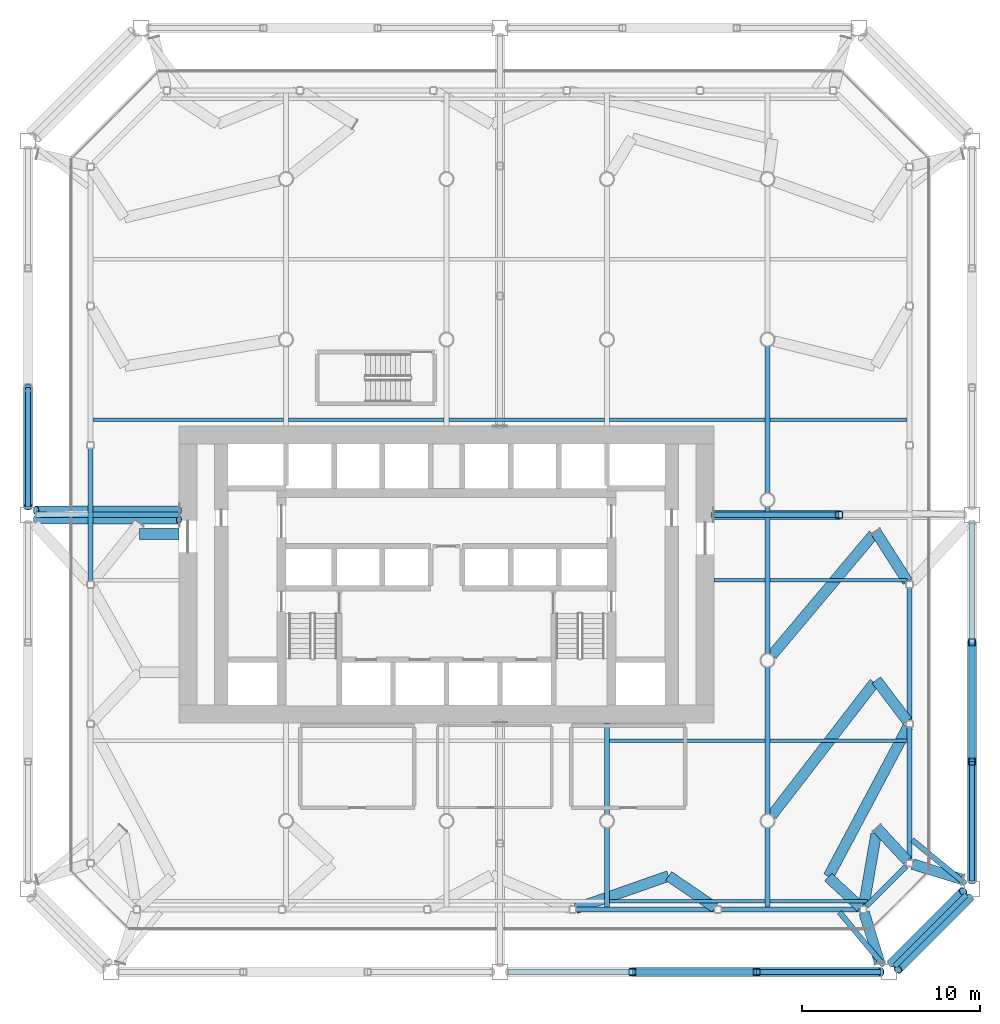
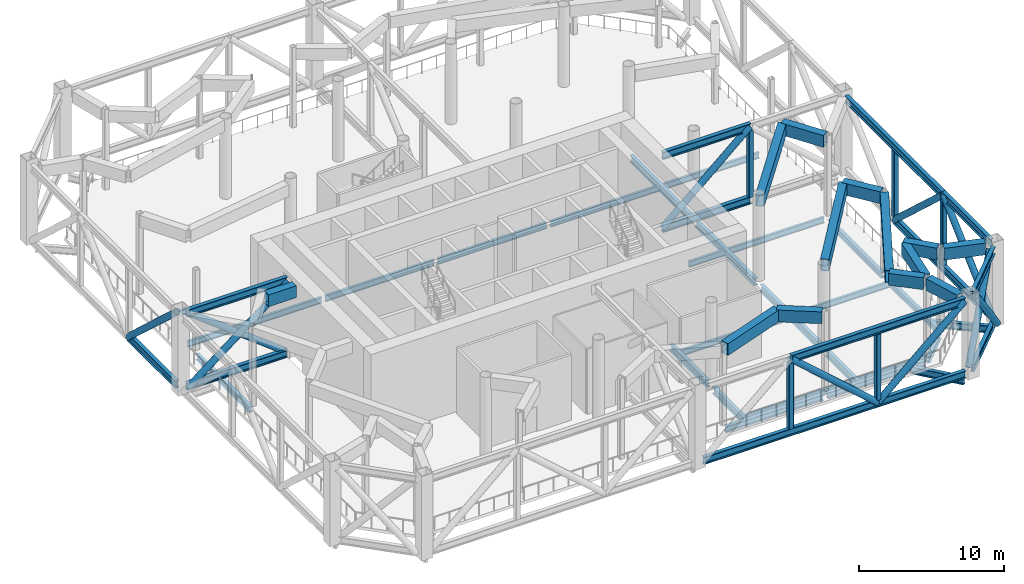
# One storey, part 4 of 20: 51 beams, 15 members.
"""IFC4 building model written with IfcOpenShell, lengths in metres."""

from ifc_helpers import new_model, si_unit, direction, frame, origin, origin_2d, place, context, subcontext, project, spatial, hollow_rectangle, hollow_circle, i_section, extrude, material, material_profile, profile_set, type_object, element, save


model = new_model("IFC4")

# Units and contexts
model_context = context("Model", 3, precision=1e-05, world=origin(), true_north=direction((0.0, 1.0)))
body_context = subcontext(model_context, "Body", "Model", "MODEL_VIEW")
ifc_project = project(units=[si_unit("LENGTHUNIT", "METRE"), si_unit("AREAUNIT", "SQUARE_METRE"), si_unit("VOLUMEUNIT", "CUBIC_METRE"), si_unit("PLANEANGLEUNIT", "RADIAN"), si_unit("MASSUNIT", "GRAM", prefix="KILO")], contexts=[model_context])

# Site, building, storey
site_placement = place(None, origin())
site = spatial("IfcSite", under=ifc_project, at=site_placement, CompositionType="ELEMENT")
building_placement = place(site_placement, origin())
building = spatial("IfcBuilding", under=site, at=building_placement, Name="Tskaro Facet Tower", CompositionType="ELEMENT")
storey_placement = place(building_placement, frame((0.0, 0.0, 114.300048828125)))
storey = spatial("IfcBuildingStorey", under=building, at=storey_placement, Name="L27", CompositionType="ELEMENT", Elevation=114.300048828125)

# Beams
ifc_material_1 = material(Name="Steel S355J2", Category="steel")
ifc_material_profile_1 = material_profile(ifc_material_1, hollow_rectangle(XDim=0.60009765625, YDim=1.0, WallThickness=0.0400390625, at=origin_2d()), Name="BOX 600x1000x40")
ifc_profile_set_1 = profile_set([ifc_material_profile_1], Name="Steel S355J2")
beam_type_1 = type_object("IfcBeamType", Name="BOX 600x1000x40 transfer girder", PredefinedType="BEAM", material=ifc_profile_set_1)
for number, where, z_axis, x_axis, name in (
    (1, (24.287841796875, -25.941650390625, 6.280029296875), (-0.296388719587, 0.955067393906, 0.0), (-0.955067393906, -0.296388719587, 0.0), "BOX 600x1000x40 TG3-4"),
    (2, (28.941650390625, -21.287841796875, 6.280029296875), (-0.955067393906, 0.296388719587, 0.0), (-0.296388719587, -0.955067393906, 0.0), "BOX 600x1000x40 TG3-5"),
):
    element("IfcBeam", number, at=place(storey_placement, frame(where, z_axis=z_axis, x_axis=x_axis)), inside=storey, type_object=beam_type_1, Name=name, PredefinedType="BEAM", context=body_context, shape_type="SweptSolid", body=[
        extrude(hollow_rectangle(XDim=0.60009765625, YDim=1.0, WallThickness=0.0400390625, at=origin_2d()), origin(), (0.0, 0.0, 1.0), 2.9267578125),
    ])
beam_1_placement = place(storey_placement, frame((21.402587890625, -21.147705078125, 6.280029296875), z_axis=(0.733524709105, -0.679662784867, 0.0), x_axis=(0.679662784867, 0.733524709105, 0.0)))
element("IfcBeam", 3, at=beam_1_placement, inside=storey, type_object=beam_type_1, Name="BOX 600x1000x40 TG3-15", PredefinedType="BEAM", context=body_context, shape_type="SweptSolid", body=[
    extrude(hollow_rectangle(XDim=0.60009765625, YDim=1.0, WallThickness=0.0400390625, at=origin_2d()), origin(), (0.0, 0.0, 1.0), 2.48388671875),
])
beam_2_placement = place(storey_placement, frame((21.421142578125, -21.112548828125, 6.280029296875), z_axis=(0.468881526409, 0.88326106797, 0.0), x_axis=(-0.88326106797, 0.468881526409, 0.0)))
element("IfcBeam", 4, at=beam_2_placement, inside=storey, type_object=beam_type_1, Name="BOX 600x1000x40 TG3-16", PredefinedType="BEAM", context=body_context, shape_type="SweptSolid", body=[
    extrude(hollow_rectangle(XDim=0.60009765625, YDim=1.0, WallThickness=0.0400390625, at=origin_2d()), origin(), (0.0, 0.0, 1.0), 9.5009765625),
])
beam_3_placement = place(storey_placement, frame((24.147705078125, -18.402587890625, 6.280029296875), z_axis=(0.679662784867, -0.733524709105, 0.0), x_axis=(0.733524709105, 0.679662784867, 0.0)))
element("IfcBeam", 5, at=beam_3_placement, inside=storey, type_object=beam_type_1, Name="BOX 600x1000x40 TG3-17", PredefinedType="BEAM", context=body_context, shape_type="SweptSolid", body=[
    extrude(hollow_rectangle(XDim=0.60009765625, YDim=1.0, WallThickness=0.0400390625, at=origin_2d()), origin(), (0.0, 0.0, 1.0), 2.48388671875),
])
beam_4_placement = place(storey_placement, frame((24.093505859375, -18.7177734375, 6.280029296875), z_axis=(-0.169259895843, -0.985571452336, 0.0), x_axis=(0.985571452336, -0.169259895843, 0.0)))
element("IfcBeam", 6, at=beam_4_placement, inside=storey, type_object=beam_type_1, Name="BOX 600x1000x40 TG3-18", PredefinedType="BEAM", context=body_context, shape_type="SweptSolid", body=[
    extrude(hollow_rectangle(XDim=0.60009765625, YDim=1.0, WallThickness=0.0400390625, at=origin_2d()), origin(), (0.0, 0.0, 1.0), 4.119384765625),
])
beam_5_placement = place(storey_placement, frame((24.10595703125, -10.095703125, 6.280029296875), z_axis=(0.603345436593, -0.797479958458, 0.0), x_axis=(0.797479958458, 0.603345436593, 0.0)))
element("IfcBeam", 7, at=beam_5_placement, inside=storey, type_object=beam_type_1, Name="BOX 600x1000x40 TG3-23", PredefinedType="BEAM", context=body_context, shape_type="SweptSolid", body=[
    extrude(hollow_rectangle(XDim=0.60009765625, YDim=1.0, WallThickness=0.0400390625, at=origin_2d()), origin(), (0.0, 0.0, 1.0), 2.89111328125),
])
beam_6_placement = place(storey_placement, frame((23.995849609375, -10.238037109375, 6.280029296875), z_axis=(-0.611311648895, -0.791389959454, 0.0), x_axis=(0.791389959454, -0.611311648895, 0.0)))
element("IfcBeam", 8, at=beam_6_placement, inside=storey, type_object=beam_type_1, Name="BOX 600x1000x40 TG3-24", PredefinedType="BEAM", context=body_context, shape_type="SweptSolid", body=[
    extrude(hollow_rectangle(XDim=0.60009765625, YDim=1.0, WallThickness=0.0400390625, at=origin_2d()), origin(), (0.0, 0.0, 1.0), 9.41162109375),
])
beam_7_placement = place(storey_placement, frame((12.45458984375, -21.08349609375, 6.280029296875), z_axis=(0.826590817664, -0.562803358336, 0.0), x_axis=(0.562803358336, 0.826590817664, 0.0)))
element("IfcBeam", 9, at=beam_7_placement, inside=storey, type_object=beam_type_1, Name="BOX 600x1000x40 TG3-30", PredefinedType="BEAM", context=body_context, shape_type="SweptSolid", body=[
    extrude(hollow_rectangle(XDim=0.60009765625, YDim=1.0, WallThickness=0.0400390625, at=origin_2d()), origin(), (0.0, 0.0, 1.0), 3.1533203125),
])
beam_8_placement = place(storey_placement, frame((12.45458984375, -21.08349609375, 6.280029296875), z_axis=(-0.943966049394, -0.330042569363, 0.0), x_axis=(0.330042569363, -0.943966049394, 0.0)))
element("IfcBeam", 10, at=beam_8_placement, inside=storey, type_object=beam_type_1, Name="BOX 600x1000x40 TG3-31", PredefinedType="BEAM", context=body_context, shape_type="SweptSolid", body=[
    extrude(hollow_rectangle(XDim=0.60009765625, YDim=1.0, WallThickness=0.0400390625, at=origin_2d()), origin(), (0.0, 0.0, 1.0), 5.510986328125),
])
beam_9_placement = place(storey_placement, frame((24.0703125, -1.779296875, 6.280029296875), z_axis=(0.538730872513, -0.84247792078, 0.0), x_axis=(0.84247792078, 0.538730872513, 0.0)))
element("IfcBeam", 11, at=beam_9_placement, inside=storey, type_object=beam_type_1, Name="BOX 600x1000x40 TG3-38", PredefinedType="BEAM", context=body_context, shape_type="SweptSolid", body=[
    extrude(hollow_rectangle(XDim=0.60009765625, YDim=1.0, WallThickness=0.0400390625, at=origin_2d()), origin(), (0.0, 0.0, 1.0), 3.32666015625),
])
beam_10_placement = place(storey_placement, frame((23.941650390625, -1.932373046875, 6.280029296875), z_axis=(-0.643499150616, -0.765446825819, 0.0), x_axis=(0.765446825819, -0.643499150616, 0.0)))
element("IfcBeam", 12, at=beam_10_placement, inside=storey, type_object=beam_type_1, Name="BOX 600x1000x40 TG3-39", PredefinedType="BEAM", context=body_context, shape_type="SweptSolid", body=[
    extrude(hollow_rectangle(XDim=0.60009765625, YDim=1.0, WallThickness=0.0400390625, at=origin_2d()), origin(), (0.0, 0.0, 1.0), 8.8369140625),
])
beam_11_placement = place(storey_placement, frame((-17.22412109375, -1.905029296875, 6.280029296875), z_axis=(1.0, 0.0, 0.0), x_axis=(0.0, 1.0, 0.0)))
element("IfcBeam", 13, at=beam_11_placement, inside=storey, type_object=beam_type_1, Name="BOX 600x1000x40 TG3-41", PredefinedType="BEAM", context=body_context, shape_type="SweptSolid", body=[
    extrude(hollow_rectangle(XDim=0.60009765625, YDim=1.0, WallThickness=0.0400390625, at=origin_2d()), origin(), (0.0, 0.0, 1.0), 2.234130859375),
])

# Members
ifc_material_2 = material(Name="Steel S355J2H", Category="steel")
ifc_material_profile_2 = material_profile(ifc_material_2, hollow_circle(Radius=0.25390625, WallThickness=0.02490234375, at=origin_2d()), Name="CHS 508x25")
ifc_profile_set_2 = profile_set([ifc_material_profile_2], Name="Steel S355J2H")
member_type_1 = type_object("IfcMemberType", Name="CHS 508x25 belt diagonal", PredefinedType="BRACE", material=ifc_profile_set_2)
for number, where, z_axis, x_axis, name in (
    (14, (10.421630859375, -26.467041015625, 6.469970703125), (0.749388134679, 0.0, -0.662130971638), (0.0, 1.0, 0.0), "CHS 508x25 BD2-022"),
    (15, (17.393310546875, -26.467041015625, 0.31005859375), (0.749388134679, 0.0, 0.662130971638), (0.0, 1.0, 0.0), "CHS 508x25 BD2-023"),
):
    element("IfcMember", number, at=place(storey_placement, frame(where, z_axis=z_axis, x_axis=x_axis)), inside=storey, type_object=member_type_1, Name=name, PredefinedType="BRACE", context=body_context, shape_type="SweptSolid", body=[
        extrude(hollow_circle(Radius=0.25390625, WallThickness=0.02490234375, at=origin_2d()), origin(), (0.0, 0.0, 1.0), 9.30322265625),
    ])
for number, where, z_axis, x_axis, name in (
    (16, (24.95361328125, -25.96923828125, 0.31005859375), (0.479291848917, 0.479291848917, 0.735226935799), (-0.707106781187, 0.707106781187, 0.0), "CHS 508x25 BD2-031"),
    (17, (25.312744140625, -26.328369140625, 6.469970703125), (0.479291848917, 0.479291848917, -0.735226935799), (-0.707106781187, 0.707106781187, 0.0), "CHS 508x25 BD2-032"),
):
    element("IfcMember", number, at=place(storey_placement, frame(where, z_axis=z_axis, x_axis=x_axis)), inside=storey, type_object=member_type_1, Name=name, PredefinedType="BRACE", context=body_context, shape_type="SweptSolid", body=[
        extrude(hollow_circle(Radius=0.25390625, WallThickness=0.02490234375, at=origin_2d()), origin(), (0.0, 0.0, 1.0), 8.378173828125),
    ])
for number, where, z_axis, x_axis, name in (
    (18, (29.467041015625, -21.364990234375, 0.31005859375), (0.0, 0.735783347307, 0.677217000544), (-1.0, 0.0, 0.0), "CHS 508x25 BD2-041"),
    (19, (29.467041015625, -14.67236328125, 6.469970703125), (0.0, 0.735783347307, -0.677217000544), (-1.0, 0.0, 0.0), "CHS 508x25 BD2-042"),
    (20, (-23.467041015625, 6.3056640625, 0.31005859375), (0.0, -0.735783347307, 0.677217000544), (1.0, 0.0, 0.0), "CHS 508x25 BD2-103"),
):
    element("IfcMember", number, at=place(storey_placement, frame(where, z_axis=z_axis, x_axis=x_axis)), inside=storey, type_object=member_type_1, Name=name, PredefinedType="BRACE", context=body_context, shape_type="SweptSolid", body=[
        extrude(hollow_circle(Radius=0.25390625, WallThickness=0.02490234375, at=origin_2d()), origin(), (0.0, 0.0, 1.0), 9.095947265625),
    ])
ifc_material_profile_3 = material_profile(ifc_material_2, hollow_circle(Radius=0.25390625, WallThickness=0.02490234375, at=origin_2d()), Name="CHS 508x25")
ifc_profile_set_3 = profile_set([ifc_material_profile_3], Name="Steel S355J2H")
member_type_2 = type_object("IfcMemberType", Name="CHS 508x25 outrigger truss diagonal", PredefinedType="BRACE", material=ifc_profile_set_3)
member_1_placement = place(storey_placement, frame((22.008544921875, -0.8369140625, 6.469970703125), z_axis=(-0.751117718248, 0.0, -0.660168291675), x_axis=(0.0, -1.0, 0.0)))
element("IfcMember", 21, at=member_1_placement, inside=storey, type_object=member_type_2, Name="Outrigger truss diagonal OR2E-D2", PredefinedType="BRACE", context=body_context, shape_type="SweptSolid", body=[
    extrude(hollow_circle(Radius=0.25390625, WallThickness=0.02490234375, at=origin_2d()), origin(), (0.0, 0.0, 1.0), 9.330810546875),
])
for number, where, z_axis, x_axis, name in (
    (22, (-23.01708984375, -1.091064453125, 0.31005859375), (0.792962293929, 0.0, 0.609270711923), (0.0, 1.0, 0.0), "Outrigger truss diagonal OR2W-D1"),
    (23, (-23.01708984375, -0.5830078125, 6.469970703125), (0.792962293929, 0.0, -0.609270711923), (0.0, 1.0, 0.0), "Outrigger truss diagonal OR2W-D2"),
):
    element("IfcMember", number, at=place(storey_placement, frame(where, z_axis=z_axis, x_axis=x_axis)), inside=storey, type_object=member_type_2, Name=name, PredefinedType="BRACE", context=body_context, shape_type="SweptSolid", body=[
        extrude(hollow_circle(Radius=0.25390625, WallThickness=0.02490234375, at=origin_2d()), origin(), (0.0, 0.0, 1.0), 10.1103515625),
    ])

# Beams
ifc_material_profile_4 = material_profile(ifc_material_1, i_section(OverallWidth=0.300048828125, OverallDepth=0.5, WebThickness=0.014404296875, FlangeThickness=0.028076171875, FilletRadius=0.027099609375, at=origin_2d()), Name="HE 500 B")
ifc_profile_set_4 = profile_set([ifc_material_profile_4], Name="Steel S355J2")
beam_type_2 = type_object("IfcBeamType", Name="HE 500 B ring beam", PredefinedType="BEAM", material=ifc_profile_set_4)
beam_12_placement = place(storey_placement, frame((7.2529296875, -22.965087890625, -0.5), z_axis=(1.0, 0.0, 0.0), x_axis=(0.0, 1.0, 0.0)))
element("IfcBeam", 24, at=beam_12_placement, inside=storey, type_object=beam_type_2, Name="HE 500 B EB4-2", PredefinedType="BEAM", context=body_context, shape_type="SweptSolid", body=[
    extrude(i_section(OverallWidth=0.300048828125, OverallDepth=0.5, WebThickness=0.014404296875, FlangeThickness=0.028076171875, FilletRadius=0.027099609375, at=origin_2d()), origin(), (0.0, 0.0, 1.0), 7.78515625),
])
beam_13_placement = place(storey_placement, frame((15.39794921875, -22.965087890625, -0.5), z_axis=(1.0, 0.0, 0.0), x_axis=(0.0, 1.0, 0.0)))
element("IfcBeam", 25, at=beam_13_placement, inside=storey, type_object=beam_type_2, Name="HE 500 B EB5-2", PredefinedType="BEAM", context=body_context, shape_type="SweptSolid", body=[
    extrude(i_section(OverallWidth=0.300048828125, OverallDepth=0.5, WebThickness=0.014404296875, FlangeThickness=0.028076171875, FilletRadius=0.027099609375, at=origin_2d()), origin(), (0.0, 0.0, 1.0), 7.7861328125),
])
beam_14_placement = place(storey_placement, frame((23.5498046875, -22.779052734375, -0.5), z_axis=(0.707106781187, 0.707106781187, 0.0), x_axis=(-0.707106781187, 0.707106781187, 0.0)))
element("IfcBeam", 26, at=beam_14_placement, inside=storey, type_object=beam_type_2, Name="HE 500 B EB6-2", PredefinedType="BEAM", context=body_context, shape_type="SweptSolid", body=[
    extrude(i_section(OverallWidth=0.300048828125, OverallDepth=0.5, WebThickness=0.014404296875, FlangeThickness=0.028076171875, FilletRadius=0.027099609375, at=origin_2d()), origin(), (0.0, 0.0, 1.0), 3.152587890625),
])
beam_15_placement = place(storey_placement, frame((25.965087890625, -20.18408203125, -0.5), z_axis=(0.0, 1.0, 0.0), x_axis=(-1.0, 0.0, 0.0)))
element("IfcBeam", 27, at=beam_15_placement, inside=storey, type_object=beam_type_2, Name="HE 500 B EB7-2", PredefinedType="BEAM", context=body_context, shape_type="SweptSolid", body=[
    extrude(i_section(OverallWidth=0.300048828125, OverallDepth=0.5, WebThickness=0.014404296875, FlangeThickness=0.028076171875, FilletRadius=0.027099609375, at=origin_2d()), origin(), (0.0, 0.0, 1.0), 7.451171875),
])
beam_16_placement = place(storey_placement, frame((25.965087890625, -12.373046875, -0.5), z_axis=(0.0, 1.0, 0.0), x_axis=(-1.0, 0.0, 0.0)))
element("IfcBeam", 28, at=beam_16_placement, inside=storey, type_object=beam_type_2, Name="HE 500 B EB8-2", PredefinedType="BEAM", context=body_context, shape_type="SweptSolid", body=[
    extrude(i_section(OverallWidth=0.300048828125, OverallDepth=0.5, WebThickness=0.014404296875, FlangeThickness=0.028076171875, FilletRadius=0.027099609375, at=origin_2d()), origin(), (0.0, 0.0, 1.0), 7.450927734375),
])
beam_17_placement = place(storey_placement, frame((-19.965087890625, 2.887939453125, -0.5), z_axis=(0.0, -1.0, 0.0), x_axis=(1.0, 0.0, 0.0)))
element("IfcBeam", 29, at=beam_17_placement, inside=storey, type_object=beam_type_2, Name="HE 500 B EB21-2", PredefinedType="BEAM", context=body_context, shape_type="SweptSolid", body=[
    extrude(i_section(OverallWidth=0.300048828125, OverallDepth=0.5, WebThickness=0.014404296875, FlangeThickness=0.028076171875, FilletRadius=0.027099609375, at=origin_2d()), origin(), (0.0, 0.0, 1.0), 7.449951171875),
])
ifc_material_profile_5 = material_profile(ifc_material_1, i_section(OverallWidth=0.300048828125, OverallDepth=0.590087890625, WebThickness=0.012939453125, FlangeThickness=0.02490234375, FilletRadius=0.027099609375, at=origin_2d()), Name="HE 600 A")
ifc_profile_set_5 = profile_set([ifc_material_profile_5], Name="Steel S355J2")
beam_type_3 = type_object("IfcBeamType", Name="HE 600 A girder", PredefinedType="BEAM", material=ifc_profile_set_5)
beam_18_placement = place(storey_placement, frame((9.0, -22.81494140625, -0.545166015625), z_axis=(0.0, 1.0, 0.0), x_axis=(-1.0, 0.0, 0.0)))
element("IfcBeam", 30, at=beam_18_placement, inside=storey, type_object=beam_type_3, Name="HE 600 A GB5-1-2", PredefinedType="BEAM", context=body_context, shape_type="SweptSolid", body=[
    extrude(i_section(OverallWidth=0.300048828125, OverallDepth=0.590087890625, WebThickness=0.012939453125, FlangeThickness=0.02490234375, FilletRadius=0.027099609375, at=origin_2d()), origin(), (0.0, 0.0, 1.0), 4.4384765625),
])
beam_19_placement = place(storey_placement, frame((9.0, -17.62353515625, -0.545166015625), z_axis=(0.0, 1.0, 0.0), x_axis=(-1.0, 0.0, 0.0)))
element("IfcBeam", 31, at=beam_19_placement, inside=storey, type_object=beam_type_3, Name="HE 600 A GB5-2-2", PredefinedType="BEAM", context=body_context, shape_type="SweptSolid", body=[
    extrude(i_section(OverallWidth=0.300048828125, OverallDepth=0.590087890625, WebThickness=0.012939453125, FlangeThickness=0.02490234375, FilletRadius=0.027099609375, at=origin_2d()), origin(), (0.0, 0.0, 1.0), 5.12353515625),
])
beam_20_placement = place(storey_placement, frame((18.0, -22.81494140625, -0.545166015625), z_axis=(0.0, 1.0, 0.0), x_axis=(-1.0, 0.0, 0.0)))
element("IfcBeam", 32, at=beam_20_placement, inside=storey, type_object=beam_type_3, Name="HE 600 A GB6-1-2", PredefinedType="BEAM", context=body_context, shape_type="SweptSolid", body=[
    extrude(i_section(OverallWidth=0.300048828125, OverallDepth=0.590087890625, WebThickness=0.012939453125, FlangeThickness=0.02490234375, FilletRadius=0.027099609375, at=origin_2d()), origin(), (0.0, 0.0, 1.0), 4.4384765625),
])
for number, where, z_axis, x_axis, name in (
    (33, (18.0, -17.62353515625, -0.545166015625), (0.0, 1.0, 0.0), (-1.0, 0.0, 0.0), "HE 600 A GB6-2-2"),
    (34, (18.0, -8.62353515625, -0.545166015625), (0.0, 1.0, 0.0), (-1.0, 0.0, 0.0), "HE 600 A GB6-3-2"),
    (35, (18.0, 0.37646484375, -0.545166015625), (0.0, 1.0, 0.0), (-1.0, 0.0, 0.0), "HE 600 A GB6-4-2"),
):
    element("IfcBeam", number, at=place(storey_placement, frame(where, z_axis=z_axis, x_axis=x_axis)), inside=storey, type_object=beam_type_3, Name=name, PredefinedType="BEAM", context=body_context, shape_type="SweptSolid", body=[
        extrude(i_section(OverallWidth=0.300048828125, OverallDepth=0.590087890625, WebThickness=0.012939453125, FlangeThickness=0.02490234375, FilletRadius=0.027099609375, at=origin_2d()), origin(), (0.0, 0.0, 1.0), 8.2470703125),
    ])
ifc_material_profile_6 = material_profile(ifc_material_1, i_section(OverallWidth=0.300048828125, OverallDepth=0.60009765625, WebThickness=0.015380859375, FlangeThickness=0.030029296875, FilletRadius=0.027099609375, at=origin_2d()), Name="HE 600 B")
ifc_profile_set_6 = profile_set([ifc_material_profile_6], Name="Steel S355J2")
beam_type_4 = type_object("IfcBeamType", Name="HE 600 B floor strut", PredefinedType="BEAM", material=ifc_profile_set_6)
beam_21_placement = place(storey_placement, frame((24.528076171875, -26.120361328125, -0.550048828125), z_axis=(-0.637768735346, 0.770227914461, 0.0), x_axis=(-0.770227914461, -0.637768735346, 0.0)))
element("IfcBeam", 36, at=beam_21_placement, inside=storey, type_object=beam_type_4, Name="HE 600 B ES2-03", PredefinedType="BEAM", context=body_context, shape_type="SweptSolid", body=[
    extrude(i_section(OverallWidth=0.300048828125, OverallDepth=0.60009765625, WebThickness=0.015380859375, FlangeThickness=0.030029296875, FilletRadius=0.027099609375, at=origin_2d()), origin(), (0.0, 0.0, 1.0), 3.90185546875),
])
beam_22_placement = place(storey_placement, frame((29.118896484375, -21.52978515625, -0.550048828125), z_axis=(-0.773368865946, 0.633956305423, 0.0), x_axis=(-0.633956305423, -0.773368865946, 0.0)))
element("IfcBeam", 37, at=beam_22_placement, inside=storey, type_object=beam_type_4, Name="HE 600 B ES2-04", PredefinedType="BEAM", context=body_context, shape_type="SweptSolid", body=[
    extrude(i_section(OverallWidth=0.300048828125, OverallDepth=0.60009765625, WebThickness=0.015380859375, FlangeThickness=0.030029296875, FilletRadius=0.027099609375, at=origin_2d()), origin(), (0.0, 0.0, 1.0), 3.88427734375),
])
ifc_material_profile_7 = material_profile(ifc_material_1, i_section(OverallWidth=0.304931640625, OverallDepth=0.6201171875, WebThickness=0.02099609375, FlangeThickness=0.0400390625, FilletRadius=0.027099609375, at=origin_2d()), Name="HE 600 M")
ifc_profile_set_7 = profile_set([ifc_material_profile_7], Name="Steel S355J2")
beam_type_5 = type_object("IfcBeamType", Name="HE 600 M belt chord", PredefinedType="BEAM", material=ifc_profile_set_7)
for number, where, z_axis, x_axis, name in (
    (38, (10.421630859375, -26.467041015625, 6.469970703125), (1.0, 0.0, 0.0), (0.0, 1.0, 0.0), "HE 600 M BT2-02T2"),
    (39, (3.449951171875, -26.467041015625, 0.31005859375), (1.0, 0.0, 0.0), (0.0, 1.0, 0.0), "HE 600 M BT2-02B1"),
):
    element("IfcBeam", number, at=place(storey_placement, frame(where, z_axis=z_axis, x_axis=x_axis)), inside=storey, type_object=beam_type_5, Name=name, PredefinedType="BEAM", context=body_context, shape_type="SweptSolid", body=[
        extrude(i_section(OverallWidth=0.304931640625, OverallDepth=0.6201171875, WebThickness=0.02099609375, FlangeThickness=0.0400390625, FilletRadius=0.027099609375, at=origin_2d()), origin(), (0.0, 0.0, 1.0), 13.943359375),
    ])
beam_23_placement = place(storey_placement, frame((17.393310546875, -26.467041015625, 0.31005859375), z_axis=(1.0, 0.0, 0.0), x_axis=(0.0, 1.0, 0.0)))
element("IfcBeam", 40, at=beam_23_placement, inside=storey, type_object=beam_type_5, Name="HE 600 M BT2-02B2", PredefinedType="BEAM", context=body_context, shape_type="SweptSolid", body=[
    extrude(i_section(OverallWidth=0.304931640625, OverallDepth=0.6201171875, WebThickness=0.02099609375, FlangeThickness=0.0400390625, FilletRadius=0.027099609375, at=origin_2d()), origin(), (0.0, 0.0, 1.0), 6.9716796875),
])
for number, where, z_axis, x_axis, name in (
    (41, (25.13330078125, -26.148681640625, 6.469970703125), (0.707106781187, 0.707106781187, 0.0), (-0.707106781187, 0.707106781187, 0.0), "HE 600 M BT2-03T1"),
    (42, (25.13330078125, -26.148681640625, 0.31005859375), (0.707106781187, 0.707106781187, 0.0), (-0.707106781187, 0.707106781187, 0.0), "HE 600 M BT2-03B1"),
):
    element("IfcBeam", number, at=place(storey_placement, frame(where, z_axis=z_axis, x_axis=x_axis)), inside=storey, type_object=beam_type_5, Name=name, PredefinedType="BEAM", context=body_context, shape_type="SweptSolid", body=[
        extrude(i_section(OverallWidth=0.304931640625, OverallDepth=0.6201171875, WebThickness=0.02099609375, FlangeThickness=0.0400390625, FilletRadius=0.027099609375, at=origin_2d()), origin(), (0.0, 0.0, 1.0), 5.6787109375),
    ])
beam_24_placement = place(storey_placement, frame((29.467041015625, -21.364990234375, 6.469970703125), z_axis=(0.0, 1.0, 0.0), x_axis=(-1.0, 0.0, 0.0)))
element("IfcBeam", 43, at=beam_24_placement, inside=storey, type_object=beam_type_5, Name="HE 600 M BT2-04T1", PredefinedType="BEAM", context=body_context, shape_type="SweptSolid", body=[
    extrude(i_section(OverallWidth=0.304931640625, OverallDepth=0.6201171875, WebThickness=0.02099609375, FlangeThickness=0.0400390625, FilletRadius=0.027099609375, at=origin_2d()), origin(), (0.0, 0.0, 1.0), 6.692626953125),
])
for number, where, z_axis, x_axis, name in (
    (44, (29.467041015625, -14.67236328125, 6.469970703125), (0.0, 1.0, 0.0), (-1.0, 0.0, 0.0), "HE 600 M BT2-04T2"),
    (45, (29.467041015625, -21.364990234375, 0.31005859375), (0.0, 1.0, 0.0), (-1.0, 0.0, 0.0), "HE 600 M BT2-04B1"),
):
    element("IfcBeam", number, at=place(storey_placement, frame(where, z_axis=z_axis, x_axis=x_axis)), inside=storey, type_object=beam_type_5, Name=name, PredefinedType="BEAM", context=body_context, shape_type="SweptSolid", body=[
        extrude(i_section(OverallWidth=0.304931640625, OverallDepth=0.6201171875, WebThickness=0.02099609375, FlangeThickness=0.0400390625, FilletRadius=0.027099609375, at=origin_2d()), origin(), (0.0, 0.0, 1.0), 13.38525390625),
    ])
beam_25_placement = place(storey_placement, frame((-23.467041015625, 6.3056640625, 0.31005859375), z_axis=(0.0, -1.0, 0.0), x_axis=(1.0, 0.0, 0.0)))
element("IfcBeam", 46, at=beam_25_placement, inside=storey, type_object=beam_type_5, Name="HE 600 M BT2-10B2", PredefinedType="BEAM", context=body_context, shape_type="SweptSolid", body=[
    extrude(i_section(OverallWidth=0.304931640625, OverallDepth=0.6201171875, WebThickness=0.02099609375, FlangeThickness=0.0400390625, FilletRadius=0.027099609375, at=origin_2d()), origin(), (0.0, 0.0, 1.0), 6.692626953125),
])
ifc_material_profile_8 = material_profile(ifc_material_1, i_section(OverallWidth=0.304931640625, OverallDepth=0.6201171875, WebThickness=0.02099609375, FlangeThickness=0.0400390625, FilletRadius=0.027099609375, at=origin_2d()), Name="HE 600 M")
ifc_profile_set_8 = profile_set([ifc_material_profile_8], Name="Steel S355J2")
beam_type_6 = type_object("IfcBeamType", Name="HE 600 M outrigger truss chord", PredefinedType="BEAM", material=ifc_profile_set_8)
for number, where, z_axis, x_axis, name in (
    (47, (22.008544921875, -0.8369140625, 6.469970703125), (-1.0, 0.0, 0.0), (0.0, -1.0, 0.0), "Outrigger truss chord OR2E-T2"),
    (48, (22.008544921875, -0.8369140625, 0.31005859375), (-1.0, 0.0, 0.0), (0.0, -1.0, 0.0), "Outrigger truss chord OR2E-B2"),
):
    element("IfcBeam", number, at=place(storey_placement, frame(where, z_axis=z_axis, x_axis=x_axis)), inside=storey, type_object=beam_type_6, Name=name, PredefinedType="BEAM", context=body_context, shape_type="SweptSolid", body=[
        extrude(i_section(OverallWidth=0.304931640625, OverallDepth=0.6201171875, WebThickness=0.02099609375, FlangeThickness=0.0400390625, FilletRadius=0.027099609375, at=origin_2d()), origin(), (0.0, 0.0, 1.0), 7.008544921875),
    ])
for number, where, z_axis, x_axis, name in (
    (49, (-23.01708984375, -0.8369140625, 6.469970703125), (1.0, 0.0, 0.0), (0.0, 1.0, 0.0), "Outrigger truss chord OR2W-T1"),
    (50, (-23.01708984375, -0.8369140625, 0.31005859375), (1.0, 0.0, 0.0), (0.0, 1.0, 0.0), "Outrigger truss chord OR2W-B1"),
):
    element("IfcBeam", number, at=place(storey_placement, frame(where, z_axis=z_axis, x_axis=x_axis)), inside=storey, type_object=beam_type_6, Name=name, PredefinedType="BEAM", context=body_context, shape_type="SweptSolid", body=[
        extrude(i_section(OverallWidth=0.304931640625, OverallDepth=0.6201171875, WebThickness=0.02099609375, FlangeThickness=0.0400390625, FilletRadius=0.027099609375, at=origin_2d()), origin(), (0.0, 0.0, 1.0), 8.01708984375),
    ])
ifc_material_profile_9 = material_profile(ifc_material_1, i_section(OverallWidth=0.199951171875, OverallDepth=0.5, WebThickness=0.01025390625, FlangeThickness=0.01611328125, FilletRadius=0.02099609375, at=origin_2d()), Name="IPE 500")
ifc_profile_set_9 = profile_set([ifc_material_profile_9], Name="Steel S355J2")
beam_type_7 = type_object("IfcBeamType", Name="IPE 500 secondary beam", PredefinedType="BEAM", material=ifc_profile_set_9)
beam_26_placement = place(storey_placement, frame((9.14990234375, -22.5, -0.5), z_axis=(1.0, 0.0, 0.0), x_axis=(0.0, 1.0, 0.0)))
element("IfcBeam", 51, at=beam_26_placement, inside=storey, type_object=beam_type_7, Name="IPE 500 SB1a-4-2", PredefinedType="BEAM", context=body_context, shape_type="SweptSolid", body=[
    extrude(i_section(OverallWidth=0.199951171875, OverallDepth=0.5, WebThickness=0.01025390625, FlangeThickness=0.01611328125, FilletRadius=0.02099609375, at=origin_2d()), origin(), (0.0, 0.0, 1.0), 8.7001953125),
])
beam_27_placement = place(storey_placement, frame((18.14990234375, -22.5, -0.5), z_axis=(1.0, 0.0, 0.0), x_axis=(0.0, 1.0, 0.0)))
element("IfcBeam", 52, at=beam_27_placement, inside=storey, type_object=beam_type_7, Name="IPE 500 SB1a-5-2", PredefinedType="BEAM", context=body_context, shape_type="SweptSolid", body=[
    extrude(i_section(OverallWidth=0.199951171875, OverallDepth=0.5, WebThickness=0.01025390625, FlangeThickness=0.01611328125, FilletRadius=0.02099609375, at=origin_2d()), origin(), (0.0, 0.0, 1.0), 5.467041015625),
])
beam_28_placement = place(storey_placement, frame((9.14990234375, -13.5, -0.5), z_axis=(1.0, 0.0, 0.0), x_axis=(0.0, 1.0, 0.0)))
element("IfcBeam", 53, at=beam_28_placement, inside=storey, type_object=beam_type_7, Name="IPE 500 SB2a-4-2", PredefinedType="BEAM", context=body_context, shape_type="SweptSolid", body=[
    extrude(i_section(OverallWidth=0.199951171875, OverallDepth=0.5, WebThickness=0.01025390625, FlangeThickness=0.01611328125, FilletRadius=0.02099609375, at=origin_2d()), origin(), (0.0, 0.0, 1.0), 8.7001953125),
])
beam_29_placement = place(storey_placement, frame((18.14990234375, -13.5, -0.5), z_axis=(1.0, 0.0, 0.0), x_axis=(0.0, 1.0, 0.0)))
element("IfcBeam", 54, at=beam_29_placement, inside=storey, type_object=beam_type_7, Name="IPE 500 SB2a-5-2", PredefinedType="BEAM", context=body_context, shape_type="SweptSolid", body=[
    extrude(i_section(OverallWidth=0.199951171875, OverallDepth=0.5, WebThickness=0.01025390625, FlangeThickness=0.01611328125, FilletRadius=0.02099609375, at=origin_2d()), origin(), (0.0, 0.0, 1.0), 7.6650390625),
])
beam_30_placement = place(storey_placement, frame((15.0, -4.5, -0.5), z_axis=(1.0, 0.0, 0.0), x_axis=(0.0, 1.0, 0.0)))
element("IfcBeam", 55, at=beam_30_placement, inside=storey, type_object=beam_type_7, Name="IPE 500 SB3a-2-2", PredefinedType="BEAM", context=body_context, shape_type="SweptSolid", body=[
    extrude(i_section(OverallWidth=0.199951171875, OverallDepth=0.5, WebThickness=0.01025390625, FlangeThickness=0.01611328125, FilletRadius=0.02099609375, at=origin_2d()), origin(), (0.0, 0.0, 1.0), 2.85009765625),
])
beam_31_placement = place(storey_placement, frame((18.14990234375, -4.5, -0.5), z_axis=(1.0, 0.0, 0.0), x_axis=(0.0, 1.0, 0.0)))
element("IfcBeam", 56, at=beam_31_placement, inside=storey, type_object=beam_type_7, Name="IPE 500 SB3a-3-2", PredefinedType="BEAM", context=body_context, shape_type="SweptSolid", body=[
    extrude(i_section(OverallWidth=0.199951171875, OverallDepth=0.5, WebThickness=0.01025390625, FlangeThickness=0.01611328125, FilletRadius=0.02099609375, at=origin_2d()), origin(), (0.0, 0.0, 1.0), 7.6650390625),
])
beam_32_placement = place(storey_placement, frame((-19.81494140625, 4.5, -0.5), z_axis=(1.0, 0.0, 0.0), x_axis=(0.0, 1.0, 0.0)))
element("IfcBeam", 57, at=beam_32_placement, inside=storey, type_object=beam_type_7, Name="IPE 500 SB4a-1-2", PredefinedType="BEAM", context=body_context, shape_type="SweptSolid", body=[
    extrude(i_section(OverallWidth=0.199951171875, OverallDepth=0.5, WebThickness=0.01025390625, FlangeThickness=0.01611328125, FilletRadius=0.02099609375, at=origin_2d()), origin(), (0.0, 0.0, 1.0), 10.6650390625),
])
for number, where, z_axis, x_axis, name in (
    (58, (-8.85009765625, 4.5, -0.5), (1.0, 0.0, 0.0), (0.0, 1.0, 0.0), "IPE 500 SB4a-2-2"),
    (59, (0.14990234375, 4.5, -0.5), (1.0, 0.0, 0.0), (0.0, 1.0, 0.0), "IPE 500 SB4a-3-2"),
    (60, (9.14990234375, 4.5, -0.5), (1.0, 0.0, 0.0), (0.0, 1.0, 0.0), "IPE 500 SB4a-4-2"),
):
    element("IfcBeam", number, at=place(storey_placement, frame(where, z_axis=z_axis, x_axis=x_axis)), inside=storey, type_object=beam_type_7, Name=name, PredefinedType="BEAM", context=body_context, shape_type="SweptSolid", body=[
        extrude(i_section(OverallWidth=0.199951171875, OverallDepth=0.5, WebThickness=0.01025390625, FlangeThickness=0.01611328125, FilletRadius=0.02099609375, at=origin_2d()), origin(), (0.0, 0.0, 1.0), 8.7001953125),
    ])
beam_33_placement = place(storey_placement, frame((18.14990234375, 4.5, -0.5), z_axis=(1.0, 0.0, 0.0), x_axis=(0.0, 1.0, 0.0)))
element("IfcBeam", 61, at=beam_33_placement, inside=storey, type_object=beam_type_7, Name="IPE 500 SB4a-5-2", PredefinedType="BEAM", context=body_context, shape_type="SweptSolid", body=[
    extrude(i_section(OverallWidth=0.199951171875, OverallDepth=0.5, WebThickness=0.01025390625, FlangeThickness=0.01611328125, FilletRadius=0.02099609375, at=origin_2d()), origin(), (0.0, 0.0, 1.0), 7.6650390625),
])

# Members
ifc_material_profile_10 = material_profile(ifc_material_2, hollow_rectangle(XDim=0.39990234375, YDim=0.39990234375, WallThickness=0.02490234375, InnerFilletRadius=0.03759765625, OuterFilletRadius=0.0625, at=origin_2d()), Name="SHS 400x400x25")
ifc_profile_set_10 = profile_set([ifc_material_profile_10], Name="Steel S355J2H")
member_type_3 = type_object("IfcMemberType", Name="SHS 400x400x25 belt post", PredefinedType="POST", material=ifc_profile_set_10)
for number, where, z_axis, x_axis, name in (
    (62, (10.421630859375, -26.467041015625, 0.619873046875), (0.0, 0.0, 1.0), (1.0, 0.0, 0.0), "SHS 400x400x25 BP2-021"),
    (63, (17.393310546875, -26.467041015625, 0.619873046875), (0.0, 0.0, 1.0), (1.0, 0.0, 0.0), "SHS 400x400x25 BP2-022"),
    (64, (29.467041015625, -14.67236328125, 0.619873046875), (0.0, 0.0, 1.0), (1.0, 0.0, 0.0), "SHS 400x400x25 BP2-041"),
    (65, (29.467041015625, -7.979736328125, 0.619873046875), (0.0, 0.0, 1.0), (1.0, 0.0, 0.0), "SHS 400x400x25 BP2-042"),
):
    element("IfcMember", number, at=place(storey_placement, frame(where, z_axis=z_axis, x_axis=x_axis)), inside=storey, type_object=member_type_3, Name=name, PredefinedType="POST", context=body_context, shape_type="SweptSolid", body=[
        extrude(hollow_rectangle(XDim=0.39990234375, YDim=0.39990234375, WallThickness=0.02490234375, InnerFilletRadius=0.03759765625, OuterFilletRadius=0.0625, at=origin_2d()), origin(), (0.0, 0.0, 1.0), 5.5400390625),
    ])
ifc_material_profile_11 = material_profile(ifc_material_2, hollow_rectangle(XDim=0.39990234375, YDim=0.39990234375, WallThickness=0.02490234375, InnerFilletRadius=0.03759765625, OuterFilletRadius=0.0625, at=origin_2d()), Name="SHS 400x400x25")
ifc_profile_set_11 = profile_set([ifc_material_profile_11], Name="Steel S355J2H")
member_type_4 = type_object("IfcMemberType", Name="SHS 400x400x25 outrigger truss post", PredefinedType="POST", material=ifc_profile_set_11)
member_2_placement = place(storey_placement, frame((22.008544921875, -0.8369140625, 0.579833984375), z_axis=(0.0, 0.0, 1.0), x_axis=(1.0, 0.0, 0.0)))
element("IfcMember", 66, at=member_2_placement, inside=storey, type_object=member_type_4, Name="Outrigger truss post OR2E-P1", PredefinedType="POST", context=body_context, shape_type="SweptSolid", body=[
    extrude(hollow_rectangle(XDim=0.39990234375, YDim=0.39990234375, WallThickness=0.02490234375, InnerFilletRadius=0.03759765625, OuterFilletRadius=0.0625, at=origin_2d()), origin(), (0.0, 0.0, 1.0), 5.6201171875),
])

save(model, "model.ifc")
